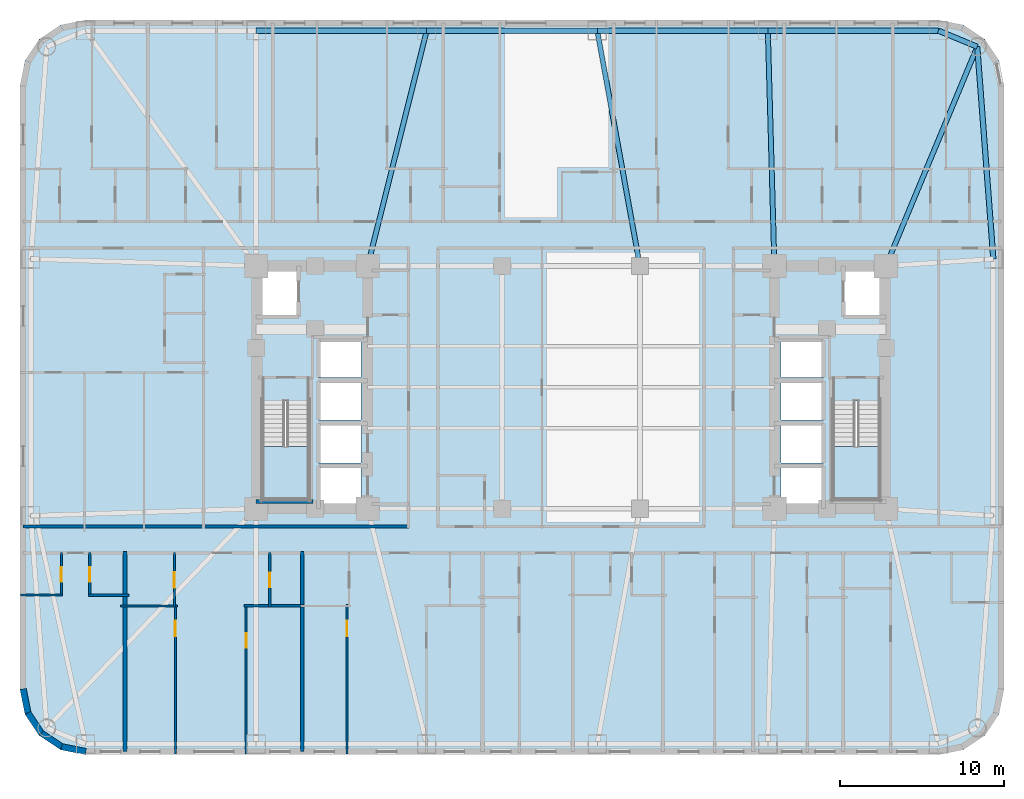
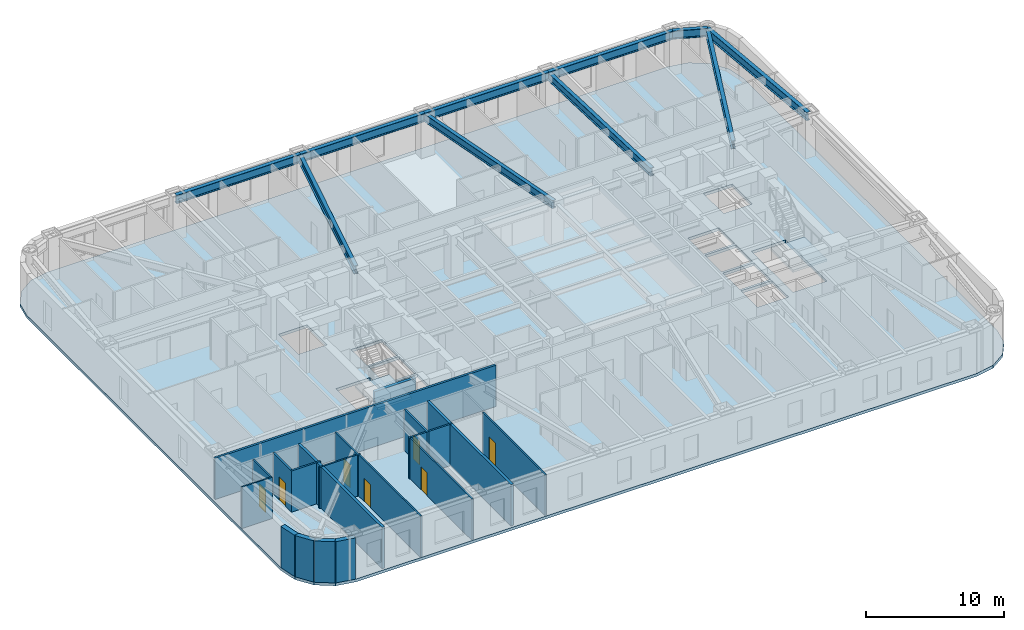
# One storey, part 2 of 12: 19 walls, 10 beams, 7 doors, 3 slabs, 7 openings, 2 elements without a shape of their own.
"""IFC4 building model written with IfcOpenShell, lengths in metres."""

from ifc_helpers import new_model, si_unit, direction, frame, frame_2d, origin, origin_2d, place, context, subcontext, project, spatial, polyline, rectangle, i_section, outline, extrude, material, layer, layer_set, material_profile, profile_set, type_object, element, fill, aggregate, save


model = new_model("IFC4")

# Units and contexts
model_context = context("Model", 3, precision=1e-05, world=origin(), true_north=direction((0.0, 1.0)))
body_context = subcontext(model_context, "Body", "Model", "MODEL_VIEW")
ifc_project = project(units=[si_unit("LENGTHUNIT", "METRE"), si_unit("AREAUNIT", "SQUARE_METRE"), si_unit("VOLUMEUNIT", "CUBIC_METRE"), si_unit("PLANEANGLEUNIT", "RADIAN"), si_unit("MASSUNIT", "GRAM", prefix="KILO")], contexts=[model_context])

# Site, building, storey
site_placement = place(None, origin())
site = spatial("IfcSite", under=ifc_project, at=site_placement, CompositionType="ELEMENT")
building_placement = place(site_placement, origin())
building = spatial("IfcBuilding", under=site, at=building_placement, Name="Voryun Gate Residences", CompositionType="ELEMENT")
storey_placement = place(building_placement, frame((0.0, 0.0, 41.60009765625)))
storey = spatial("IfcBuildingStorey", under=building, at=storey_placement, Name="L09", CompositionType="ELEMENT", Elevation=41.60009765625)

# Beams
ifc_material_1 = material(Name="Steel SM355", Category="steel")
ifc_material_profile_1 = material_profile(ifc_material_1, i_section(OverallWidth=0.320068359375, OverallDepth=0.75, WebThickness=0.01611328125, FlangeThickness=0.028076171875, FilletRadius=0.01806640625, at=origin_2d()), Name="H-750x320x16x28")
ifc_profile_set_1 = profile_set([ifc_material_profile_1], Name="Steel SM355")
beam_type_1 = type_object("IfcBeamType", Name="BM_EXO_SPANDREL_L", PredefinedType="SPANDREL", material=ifc_profile_set_1)
beam_1_placement = place(storey_placement, frame((25.75, 7.830078125, 3.27490234375), z_axis=(-0.075617360159, 0.997136908776, 0.0), x_axis=(-0.997136908776, -0.075617360159, 0.0)))
element("IfcBeam", 1, at=beam_1_placement, inside=storey, type_object=beam_type_1, Name="BM-L09-SPAND-09", PredefinedType="SPANDREL", context=body_context, shape_type="SweptSolid", body=[
    extrude(i_section(OverallWidth=0.320068359375, OverallDepth=0.75, WebThickness=0.01611328125, FlangeThickness=0.028076171875, FilletRadius=0.01806640625, at=origin_2d()), origin(), (0.0, 0.0, 1.0), 12.975830078125),
])
beam_2_placement = place(storey_placement, frame((24.768798828125, 20.768798828125, 3.27490234375), z_axis=(-0.923883376753, 0.382674151414, 0.0), x_axis=(-0.382674151414, -0.923883376753, 0.0)))
element("IfcBeam", 2, at=beam_2_placement, inside=storey, type_object=beam_type_1, Name="BM-L09-SPAND-10", PredefinedType="SPANDREL", context=body_context, shape_type="SweptSolid", body=[
    extrude(i_section(OverallWidth=0.320068359375, OverallDepth=0.75, WebThickness=0.01611328125, FlangeThickness=0.028076171875, FilletRadius=0.01806640625, at=origin_2d()), origin(), (0.0, 0.0, 1.0), 2.56396484375),
])
for number, where, z_axis, x_axis, name in (
    (3, (22.39990234375, 21.75, 3.27490234375), (-1.0, 0.0, 0.0), (0.0, -1.0, 0.0), "BM-L09-SPAND-11"),
    (4, (12.0, 21.75, 3.27490234375), (-1.0, 0.0, 0.0), (0.0, -1.0, 0.0), "BM-L09-SPAND-12"),
):
    element("IfcBeam", number, at=place(storey_placement, frame(where, z_axis=z_axis, x_axis=x_axis)), inside=storey, type_object=beam_type_1, Name=name, PredefinedType="SPANDREL", context=body_context, shape_type="SweptSolid", body=[
        extrude(i_section(OverallWidth=0.320068359375, OverallDepth=0.75, WebThickness=0.01611328125, FlangeThickness=0.028076171875, FilletRadius=0.01806640625, at=origin_2d()), origin(), (0.0, 0.0, 1.0), 10.39990234375),
    ])
beam_3_placement = place(storey_placement, frame((1.60009765625, 21.75, 3.27490234375), z_axis=(-1.0, 0.0, 0.0), x_axis=(0.0, -1.0, 0.0)))
element("IfcBeam", 5, at=beam_3_placement, inside=storey, type_object=beam_type_1, Name="BM-L09-SPAND-13", PredefinedType="SPANDREL", context=body_context, shape_type="SweptSolid", body=[
    extrude(i_section(OverallWidth=0.320068359375, OverallDepth=0.75, WebThickness=0.01611328125, FlangeThickness=0.028076171875, FilletRadius=0.01806640625, at=origin_2d()), origin(), (0.0, 0.0, 1.0), 10.400146484375),
])
beam_4_placement = place(storey_placement, frame((-8.800048828125, 21.75, 3.27490234375), z_axis=(-1.0, 0.0, 0.0), x_axis=(0.0, -1.0, 0.0)))
element("IfcBeam", 6, at=beam_4_placement, inside=storey, type_object=beam_type_1, Name="BM-L09-SPAND-14", PredefinedType="SPANDREL", context=body_context, shape_type="SweptSolid", body=[
    extrude(i_section(OverallWidth=0.320068359375, OverallDepth=0.75, WebThickness=0.01611328125, FlangeThickness=0.028076171875, FilletRadius=0.01806640625, at=origin_2d()), origin(), (0.0, 0.0, 1.0), 10.39990234375),
])
ifc_material_2 = material(Name="Steel SM355", Category="steel")
ifc_material_profile_2 = material_profile(ifc_material_2, i_section(OverallWidth=0.300048828125, OverallDepth=0.699951171875, WebThickness=0.012939453125, FlangeThickness=0.02392578125, FilletRadius=0.01806640625, at=origin_2d()), Name="H-700x300x13x24")
ifc_profile_set_2 = profile_set([ifc_material_profile_2], Name="Steel SM355")
beam_type_2 = type_object("IfcBeamType", Name="BM_GIRD_700", PredefinedType="USERDEFINED", material=ifc_profile_set_2)
beam_5_placement = place(storey_placement, frame((19.199951171875, 7.39990234375, 3.2998046875), z_axis=(0.384525607719, 0.923114324993, 0.0), x_axis=(-0.923114324993, 0.384525607719, 0.0)))
element("IfcBeam", 7, at=beam_5_placement, inside=storey, type_object=beam_type_2, Name="BM-L09-RAD-CNE", ObjectType="GIRDER", PredefinedType="USERDEFINED", context=body_context, shape_type="SweptSolid", body=[
    extrude(i_section(OverallWidth=0.300048828125, OverallDepth=0.699951171875, WebThickness=0.012939453125, FlangeThickness=0.02392578125, FilletRadius=0.01806640625, at=origin_2d()), origin(), (0.0, 0.0, 1.0), 14.482421875),
])
beam_6_placement = place(storey_placement, frame((12.39990234375, 7.39990234375, 3.2998046875), z_axis=(-0.0278567548, 0.999611925305, 0.0), x_axis=(-0.999611925305, -0.0278567548, 0.0)))
element("IfcBeam", 8, at=beam_6_placement, inside=storey, type_object=beam_type_2, Name="BM-L09-RAD-N2", ObjectType="GIRDER", PredefinedType="USERDEFINED", context=body_context, shape_type="SweptSolid", body=[
    extrude(i_section(OverallWidth=0.300048828125, OverallDepth=0.699951171875, WebThickness=0.012939453125, FlangeThickness=0.02392578125, FilletRadius=0.01806640625, at=origin_2d()), origin(), (0.0, 0.0, 1.0), 14.355712890625),
])
beam_7_placement = place(storey_placement, frame((4.199951171875, 7.39990234375, 3.2998046875), z_axis=(-0.178271088758, 0.983981411874, 0.0), x_axis=(-0.983981411874, -0.178271088758, 0.0)))
element("IfcBeam", 9, at=beam_7_placement, inside=storey, type_object=beam_type_2, Name="BM-L09-RAD-N3", ObjectType="GIRDER", PredefinedType="USERDEFINED", context=body_context, shape_type="SweptSolid", body=[
    extrude(i_section(OverallWidth=0.300048828125, OverallDepth=0.699951171875, WebThickness=0.012939453125, FlangeThickness=0.02392578125, FilletRadius=0.01806640625, at=origin_2d()), origin(), (0.0, 0.0, 1.0), 14.583740234375),
])
beam_8_placement = place(storey_placement, frame((-12.39990234375, 7.39990234375, 3.2998046875), z_axis=(0.243319869291, 0.969946102218, 0.0), x_axis=(-0.969946102218, 0.243319869291, 0.0)))
element("IfcBeam", 10, at=beam_8_placement, inside=storey, type_object=beam_type_2, Name="BM-L09-RAD-N4", ObjectType="GIRDER", PredefinedType="USERDEFINED", context=body_context, shape_type="SweptSolid", body=[
    extrude(i_section(OverallWidth=0.300048828125, OverallDepth=0.699951171875, WebThickness=0.012939453125, FlangeThickness=0.02392578125, FilletRadius=0.01806640625, at=origin_2d()), origin(), (0.0, 0.0, 1.0), 14.794677734375),
])

# Slab
ifc_material_3 = material(Name="Concrete C40/50", Category="concrete")
ifc_layer_1 = layer(ifc_material_3, 0.25, Name="SLB_RES_250")
ifc_layer_set_1 = layer_set([ifc_layer_1], Name="Concrete C40/50")
slab_type_1 = type_object("IfcSlabType", Name="SLB_RES_250", PredefinedType="FLOOR", material=ifc_layer_set_1)
slab_1_placement = place(storey_placement, frame((0.0, 0.0, -0.25)))
element("IfcSlab", 11, at=slab_1_placement, inside=storey, type_object=slab_type_1, Name="L09 Structural Floor Slab", PredefinedType="FLOOR", context=body_context, shape_type="SweptSolid", body=[
    extrude(outline(polyline([(-29.60009765625, -22.39990234375), (-31.130615234375, -22.095458984375), (-32.428466796875, -21.228515625), (-33.29541015625, -19.9306640625), (-33.60009765625, -18.39990234375), (-33.60009765625, 18.39990234375), (-33.29541015625, 19.9306640625), (-32.428466796875, 21.228515625), (-31.130615234375, 22.095458984375), (-29.60009765625, 22.39990234375), (22.39990234375, 22.39990234375), (23.9306640625, 22.095458984375), (25.228515625, 21.228515625), (26.095458984375, 19.9306640625), (26.39990234375, 18.39990234375), (26.39990234375, -18.39990234375), (26.095458984375, -19.9306640625), (25.228515625, -21.228515625), (23.9306640625, -22.095458984375), (22.39990234375, -22.39990234375), (-29.60009765625, -22.39990234375)]), holes=[polyline([(-12.800048828125, -4.800048828125), (-15.39990234375, -4.800048828125), (-15.39990234375, -7.199951171875), (-12.800048828125, -7.199951171875), (-12.800048828125, -4.800048828125)]), polyline([(-18.824951171875, -6.85009765625), (-15.97509765625, -6.85009765625), (-15.97509765625, -0.840087890625), (-18.824951171875, -0.840087890625), (-18.824951171875, -6.85009765625)]), polyline([(-12.800048828125, -4.60009765625), (-12.800048828125, -2.199951171875), (-15.39990234375, -2.199951171875), (-15.39990234375, -4.60009765625), (-12.800048828125, -4.60009765625)]), polyline([(-12.800048828125, 0.39990234375), (-15.39990234375, 0.39990234375), (-15.39990234375, -2.0), (-12.800048828125, -2.0), (-12.800048828125, 0.39990234375)]), polyline([(-12.800048828125, 0.60009765625), (-12.800048828125, 2.89990234375), (-15.39990234375, 2.89990234375), (-15.39990234375, 0.60009765625), (-12.800048828125, 0.60009765625)]), polyline([(-16.60009765625, 4.300048828125), (-16.60009765625, 7.199951171875), (-19.0, 7.199951171875), (-19.0, 4.300048828125), (-16.60009765625, 4.300048828125)]), polyline([(15.39990234375, -4.800048828125), (12.800048828125, -4.800048828125), (12.800048828125, -7.199951171875), (15.39990234375, -7.199951171875), (15.39990234375, -4.800048828125)]), polyline([(15.97509765625, -6.85009765625), (18.824951171875, -6.85009765625), (18.824951171875, -0.840087890625), (15.97509765625, -0.840087890625), (15.97509765625, -6.85009765625)]), polyline([(15.39990234375, -4.60009765625), (15.39990234375, -2.199951171875), (12.800048828125, -2.199951171875), (12.800048828125, -4.60009765625), (15.39990234375, -4.60009765625)]), polyline([(15.39990234375, 0.39990234375), (12.800048828125, 0.39990234375), (12.800048828125, -2.0), (15.39990234375, -2.0), (15.39990234375, 0.39990234375)]), polyline([(15.39990234375, 0.60009765625), (15.39990234375, 2.89990234375), (12.800048828125, 2.89990234375), (12.800048828125, 0.60009765625), (15.39990234375, 0.60009765625)]), polyline([(19.0, 4.300048828125), (19.0, 7.199951171875), (16.60009765625, 7.199951171875), (16.60009765625, 4.300048828125), (19.0, 4.300048828125)])]), origin(), (0.0, 0.0, 1.0), 0.25),
])

# Stair, slab
ifc_material_4 = material(Name="Concrete C40/50", Category="concrete")
stair_type = type_object("IfcStairType", Name="STR_CORE_DOGLEG_1350", PredefinedType="HALF_TURN_STAIR", material=ifc_material_4)
stair_1_placement = place(storey_placement, origin())
stair_1 = element("IfcStair", 12, at=stair_1_placement, inside=storey, type_object=stair_type, Name="L09 Special Escape Stair ST-W1", PredefinedType="HALF_TURN_STAIR")
ifc_material_5 = material(Name="Concrete C40/50", Category="concrete")
ifc_layer_2 = layer(ifc_material_5, 0.199951171875, Name="SLB_STAIR_LANDING_200")
ifc_layer_set_2 = layer_set([ifc_layer_2], Name="Concrete C40/50")
slab_type_2 = type_object("IfcSlabType", Name="SLB_STAIR_LANDING_200", PredefinedType="LANDING", material=ifc_layer_set_2)
slab_2_placement = place(storey_placement, frame((0.0, 0.0, 1.75)))
slab_2 = element("IfcSlab", 13, at=slab_2_placement, type_object=slab_type_2, Name="ST-W1 landing 1", PredefinedType="LANDING", context=body_context, shape_type="SweptSolid", body=[
    extrude(outline(polyline([(-18.824951171875, -3.60009765625), (-18.824951171875, -6.85009765625), (-15.97509765625, -6.85009765625), (-15.97509765625, -3.60009765625), (-18.824951171875, -3.60009765625)])), origin(), (0.0, 0.0, 1.0), 0.199951171875),
])
aggregate(stair_1, [slab_2])

stair_2_placement = place(storey_placement, origin())
stair_2 = element("IfcStair", 14, at=stair_2_placement, inside=storey, type_object=stair_type, Name="L09 Special Escape Stair ST-E1", PredefinedType="HALF_TURN_STAIR")
slab_3_placement = place(storey_placement, frame((0.0, 0.0, 1.75)))
slab_3 = element("IfcSlab", 15, at=slab_3_placement, type_object=slab_type_2, Name="ST-E1 landing 1", PredefinedType="LANDING", context=body_context, shape_type="SweptSolid", body=[
    extrude(outline(polyline([(15.97509765625, -3.60009765625), (15.97509765625, -6.85009765625), (18.824951171875, -6.85009765625), (18.824951171875, -3.60009765625), (15.97509765625, -3.60009765625)])), origin(), (0.0, 0.0, 1.0), 0.199951171875),
])
aggregate(stair_2, [slab_3])

# Walls
ifc_material_6 = material(Name="Gypsum acoustic fireboard")
ifc_layer_3 = layer(ifc_material_6, 0.179931640625, Name="W_CORR_RATED_180")
ifc_layer_set_3 = layer_set([ifc_layer_3], Name="Gypsum acoustic fireboard")
wall_type_1 = type_object("IfcWallType", Name="W_CORR_RATED_180", PredefinedType="PARTITIONING", material=ifc_layer_set_3)
wall_1_placement = place(storey_placement, frame((-33.409912109375, -8.489990234375, 0.0), z_axis=(0.0, 0.0, 1.0), x_axis=(1.0, 0.0, 0.0)))
element("IfcWall", 16, at=wall_1_placement, inside=storey, type_object=wall_type_1, Name="Partition wall WP-L09-CWING-WS", PredefinedType="PARTITIONING", context=body_context, shape_type="SweptSolid", body=[
    extrude(rectangle(XDim=23.530029296875, YDim=0.179931640625, at=frame_2d((11.76513671875, 0.0))), origin(), (0.0, 0.0, 1.0), 3.64990234375),
])
ifc_material_7 = material(Name="Granite masonry", Category="masonry")
ifc_layer_4 = layer(ifc_material_7, 0.3798828125, Name="W_EXT_GRANITE_380")
ifc_layer_set_4 = layer_set([ifc_layer_4], Name="Granite masonry")
wall_type_2 = type_object("IfcWallType", Name="W_EXT_GRANITE_380", PredefinedType="ELEMENTEDWALL", material=ifc_layer_set_4)
wall_2_placement = place(storey_placement, frame((-29.581298828125, -22.2099609375, 0.0), z_axis=(0.0, 0.0, 1.0), x_axis=(-0.980786132421, 0.195086038585, 0.0)))
element("IfcWall", 17, at=wall_2_placement, inside=storey, type_object=wall_type_2, Name="Exterior wall WEXT-L09-02", PredefinedType="ELEMENTEDWALL", context=body_context, shape_type="SweptSolid", body=[
    extrude(rectangle(XDim=1.504150390625, YDim=0.3798828125, at=frame_2d((0.751953125, 0.0))), origin(), (0.0, 0.0, 1.0), 3.64990234375),
])
wall_3_placement = place(storey_placement, frame((-31.056640625, -21.91650390625, 0.0), z_axis=(0.0, 0.0, 1.0), x_axis=(-0.831442848281, 0.555610286119, 0.0)))
element("IfcWall", 18, at=wall_3_placement, inside=storey, type_object=wall_type_2, Name="Exterior wall WEXT-L09-03", PredefinedType="ELEMENTEDWALL", context=body_context, shape_type="SweptSolid", body=[
    extrude(rectangle(XDim=1.485107421875, YDim=0.3798828125, at=frame_2d((0.74267578125, 0.0))), origin(), (0.0, 0.0, 1.0), 3.64990234375),
])
wall_4_placement = place(storey_placement, frame((-32.29150390625, -21.09130859375, 0.0), z_axis=(0.0, 0.0, 1.0), x_axis=(-0.555572577804, 0.831468045563, 0.0)))
element("IfcWall", 19, at=wall_4_placement, inside=storey, type_object=wall_type_2, Name="Exterior wall WEXT-L09-04", PredefinedType="ELEMENTEDWALL", context=body_context, shape_type="SweptSolid", body=[
    extrude(rectangle(XDim=1.48486328125, YDim=0.3798828125, at=frame_2d((0.742431640625, 0.0))), origin(), (0.0, 0.0, 1.0), 3.64990234375),
])
wall_5_placement = place(storey_placement, frame((-33.116455078125, -19.856689453125, 0.0), z_axis=(0.0, 0.0, 1.0), x_axis=(-0.195086038585, 0.980786132421, 0.0)))
element("IfcWall", 20, at=wall_5_placement, inside=storey, type_object=wall_type_2, Name="Exterior wall WEXT-L09-05", PredefinedType="ELEMENTEDWALL", context=body_context, shape_type="SweptSolid", body=[
    extrude(rectangle(XDim=1.504150390625, YDim=0.3798828125, at=frame_2d((0.751953125, 0.0))), origin(), (0.0, 0.0, 1.0), 3.64990234375),
])
ifc_material_8 = material(Name="Concrete C40/50", Category="concrete")
ifc_layer_5 = layer(ifc_material_8, 0.219970703125, Name="W_PARTY_ACOUSTIC_220")
ifc_layer_set_5 = layer_set([ifc_layer_5], Name="Concrete C40/50")
wall_type_3 = type_object("IfcWallType", Name="W_PARTY_ACOUSTIC_220", PredefinedType="PARTITIONING", material=ifc_layer_set_5)
for number, where, z_axis, x_axis, name in (
    (21, (-27.199951171875, -22.2099609375, 0.0), (0.0, 0.0, 1.0), (0.0, 1.0, 0.0), "Partition wall WP-L09-SPTY-1"),
    (22, (-16.39990234375, -22.2099609375, 0.0), (0.0, 0.0, 1.0), (0.0, 1.0, 0.0), "Partition wall WP-L09-SPTY-2"),
):
    element("IfcWall", number, at=place(storey_placement, frame(where, z_axis=z_axis, x_axis=x_axis)), inside=storey, type_object=wall_type_3, Name=name, PredefinedType="PARTITIONING", context=body_context, shape_type="SweptSolid", body=[
        extrude(rectangle(XDim=12.18994140625, YDim=0.219970703125, at=frame_2d((6.094970703125, 0.0))), origin(), (0.0, 0.0, 1.0), 3.64990234375),
    ])
ifc_material_9 = material(Name="Concrete C50/60", Category="concrete")
ifc_layer_6 = layer(ifc_material_9, 0.25, Name="W_SHAFT_RC250")
ifc_layer_set_6 = layer_set([ifc_layer_6], Name="Concrete C50/60")
wall_type_4 = type_object("IfcWallType", Name="W_SHAFT_RC250", PredefinedType="SOLIDWALL", material=ifc_layer_set_6)
wall_6_placement = place(storey_placement, frame((-19.199951171875, -6.965087890625, 0.0), z_axis=(0.0, 0.0, 1.0), x_axis=(1.0, 0.0, 0.0)))
element("IfcWall", 23, at=wall_6_placement, inside=storey, type_object=wall_type_4, Name="L09 Stair shaft structural wall W-STS", PredefinedType="SOLIDWALL", context=body_context, shape_type="SweptSolid", body=[
    extrude(rectangle(XDim=3.4599609375, YDim=0.25, at=frame_2d((1.72998046875, 0.0))), origin(), (0.0, 0.0, 1.0), 3.64990234375),
])

# Wall, opening, door
ifc_material_10 = material(Name="Gypsum acoustic partition")
ifc_layer_7 = layer(ifc_material_10, 0.125, Name="W_UNIT_PART_125")
ifc_layer_set_7 = layer_set([ifc_layer_7], Name="Gypsum acoustic partition")
wall_type_5 = type_object("IfcWallType", Name="W_UNIT_PART_125", PredefinedType="PARTITIONING", material=ifc_layer_set_7)
wall_7_placement = place(storey_placement, frame((-31.077880859375, -12.72998046875, 0.0), z_axis=(0.0, 0.0, 1.0), x_axis=(0.0, 1.0, 0.0)))
wall_7 = element("IfcWall", 24, at=wall_7_placement, inside=storey, type_object=wall_type_5, Name="Partition wall WP-L09-S1-CVK", PredefinedType="PARTITIONING", context=body_context, shape_type="SweptSolid", body=[
    extrude(rectangle(XDim=2.64990234375, YDim=0.125, at=frame_2d((1.324951171875, 0.0))), origin(), (0.0, 0.0, 1.0), 3.64990234375),
])
opening_1_placement = place(wall_7_placement, frame((0.875, 0.0, 0.0)))
opening_1 = element("IfcOpeningElement", 25, at=opening_1_placement, cuts=wall_7, Name="Opening D-INT-2", PredefinedType="OPENING", context=body_context, shape_type="SweptSolid", body=[
    extrude(rectangle(XDim=0.89990234375, YDim=2.050048828125, at=frame_2d((0.449951171875, 1.02490234375))), frame((0.0, 0.072509765625, 0.0), z_axis=(0.0, -1.0, 0.0), x_axis=(1.0, 0.0, 0.0)), (0.0, 0.0, 1.0), 0.14501953125),
])
ifc_material_11 = material(Name="Architectural oak veneer")
door_type_1 = type_object("IfcDoorType", Name="DR_INT_BATH_900", OperationType="NOTDEFINED", PredefinedType="DOOR", material=ifc_material_11)
door_1_placement = place(opening_1_placement, origin())
door_1 = element("IfcDoor", 26, at=door_1_placement, inside=storey, type_object=door_type_1, Name="Door DR-L09-S1-DK", OperationType="SINGLE_SWING_LEFT", OverallHeight=2.050048828125, OverallWidth=0.89990234375, PredefinedType="DOOR", context=body_context, shape_type="SweptSolid", body=[
    extrude(rectangle(XDim=0.89990234375, YDim=2.050048828125, at=frame_2d((0.449951171875, 1.02490234375))), frame((0.0, 0.02490234375, 0.0), z_axis=(0.0, -1.0, 0.0), x_axis=(1.0, 0.0, 0.0)), (0.0, 0.0, 1.0), 0.050048828125),
])
fill(opening_1, door_1)

# Wall
wall_8_placement = place(storey_placement, frame((-33.56005859375, -12.669921875, 0.0), z_axis=(0.0, 0.0, 1.0), x_axis=(1.0, 0.0, 0.0)))
element("IfcWall", 27, at=wall_8_placement, inside=storey, type_object=wall_type_5, Name="Partition wall WP-L09-S1-CHK", PredefinedType="PARTITIONING", context=body_context, shape_type="SweptSolid", body=[
    extrude(rectangle(XDim=2.5419921875, YDim=0.125, at=frame_2d((1.27099609375, 0.0))), origin(), (0.0, 0.0, 1.0), 3.64990234375),
])

# Wall, opening, door
wall_9_placement = place(storey_placement, frame((-24.1279296875, -22.360107421875, 0.0), z_axis=(0.0, 0.0, 1.0), x_axis=(0.0, 1.0, 0.0)))
wall_9 = element("IfcWall", 28, at=wall_9_placement, inside=storey, type_object=wall_type_5, Name="Partition wall WP-L09-S2-OVL", PredefinedType="PARTITIONING", context=body_context, shape_type="SweptSolid", body=[
    extrude(rectangle(XDim=9.1201171875, YDim=0.125, at=frame_2d((4.56005859375, 0.0))), origin(), (0.0, 0.0, 1.0), 3.64990234375),
])
opening_2_placement = place(wall_9_placement, frame((7.185791015625, 0.0, 0.0)))
opening_2 = element("IfcOpeningElement", 29, at=opening_2_placement, cuts=wall_9, Name="Opening D-INT-1", PredefinedType="OPENING", context=body_context, shape_type="SweptSolid", body=[
    extrude(rectangle(XDim=0.949951171875, YDim=2.050048828125, at=frame_2d((0.47509765625, 1.02490234375))), frame((0.0, 0.072509765625, 0.0), z_axis=(0.0, -1.0, 0.0), x_axis=(1.0, 0.0, 0.0)), (0.0, 0.0, 1.0), 0.14501953125),
])
ifc_material_12 = material(Name="Architectural oak veneer")
door_type_2 = type_object("IfcDoorType", Name="DR_INT_ROOM_950", OperationType="NOTDEFINED", PredefinedType="DOOR", material=ifc_material_12)
door_2_placement = place(opening_2_placement, origin())
door_2 = element("IfcDoor", 30, at=door_2_placement, inside=storey, type_object=door_type_2, Name="Door DR-L09-S2-DB2", OperationType="SINGLE_SWING_LEFT", OverallHeight=2.050048828125, OverallWidth=0.949951171875, PredefinedType="DOOR", context=body_context, shape_type="SweptSolid", body=[
    extrude(rectangle(XDim=0.949951171875, YDim=2.050048828125, at=frame_2d((0.47509765625, 1.02490234375))), frame((0.0, 0.02490234375, 0.0), z_axis=(0.0, -1.0, 0.0), x_axis=(1.0, 0.0, 0.0)), (0.0, 0.0, 1.0), 0.050048828125),
])
fill(opening_2, door_2)

wall_10_placement = place(storey_placement, frame((-19.81005859375, -22.360107421875, 0.0), z_axis=(0.0, 0.0, 1.0), x_axis=(0.0, 1.0, 0.0)))
wall_10 = element("IfcWall", 31, at=wall_10_placement, inside=storey, type_object=wall_type_5, Name="Partition wall WP-L09-S2-OVR", PredefinedType="PARTITIONING", context=body_context, shape_type="SweptSolid", body=[
    extrude(rectangle(XDim=9.1201171875, YDim=0.125, at=frame_2d((4.56005859375, 0.0))), origin(), (0.0, 0.0, 1.0), 3.64990234375),
])
opening_3_placement = place(wall_10_placement, frame((6.481201171875, 0.0, 0.0)))
opening_3 = element("IfcOpeningElement", 32, at=opening_3_placement, cuts=wall_10, Name="Opening D-INT-2", PredefinedType="OPENING", context=body_context, shape_type="SweptSolid", body=[
    extrude(rectangle(XDim=0.89990234375, YDim=2.050048828125, at=frame_2d((0.449951171875, 1.02490234375))), frame((0.0, 0.072509765625, 0.0), z_axis=(0.0, -1.0, 0.0), x_axis=(1.0, 0.0, 0.0)), (0.0, 0.0, 1.0), 0.14501953125),
])
door_3_placement = place(opening_3_placement, origin())
door_3 = element("IfcDoor", 33, at=door_3_placement, inside=storey, type_object=door_type_1, Name="Door DR-L09-S2-DMB", OperationType="SINGLE_SWING_RIGHT", OverallHeight=2.050048828125, OverallWidth=0.89990234375, PredefinedType="DOOR", context=body_context, shape_type="SweptSolid", body=[
    extrude(rectangle(XDim=0.89990234375, YDim=2.050048828125, at=frame_2d((0.449951171875, 1.02490234375))), frame((0.0, 0.02490234375, 0.0), z_axis=(0.0, -1.0, 0.0), x_axis=(1.0, 0.0, 0.0)), (0.0, 0.0, 1.0), 0.050048828125),
])
fill(opening_3, door_3)

wall_11_placement = place(storey_placement, frame((-24.19189453125, -13.39990234375, 0.0), z_axis=(0.0, 0.0, 1.0), x_axis=(0.0, 1.0, 0.0)))
wall_11 = element("IfcWall", 34, at=wall_11_placement, inside=storey, type_object=wall_type_5, Name="Partition wall WP-L09-S2-IVK", PredefinedType="PARTITIONING", context=body_context, shape_type="SweptSolid", body=[
    extrude(rectangle(XDim=3.31982421875, YDim=0.125, at=frame_2d((1.659912109375, 0.0))), origin(), (0.0, 0.0, 1.0), 3.64990234375),
])
opening_4_placement = place(wall_11_placement, frame((1.18505859375, 0.0, 0.0)))
opening_4 = element("IfcOpeningElement", 35, at=opening_4_placement, cuts=wall_11, Name="Opening D-INT-1", PredefinedType="OPENING", context=body_context, shape_type="SweptSolid", body=[
    extrude(rectangle(XDim=0.949951171875, YDim=2.050048828125, at=frame_2d((0.47509765625, 1.02490234375))), frame((0.0, 0.072509765625, 0.0), z_axis=(0.0, -1.0, 0.0), x_axis=(1.0, 0.0, 0.0)), (0.0, 0.0, 1.0), 0.14501953125),
])
door_4_placement = place(opening_4_placement, origin())
door_4 = element("IfcDoor", 36, at=door_4_placement, inside=storey, type_object=door_type_2, Name="Door DR-L09-S2-DK", OperationType="SINGLE_SWING_LEFT", OverallHeight=2.050048828125, OverallWidth=0.949951171875, PredefinedType="DOOR", context=body_context, shape_type="SweptSolid", body=[
    extrude(rectangle(XDim=0.949951171875, YDim=2.050048828125, at=frame_2d((0.47509765625, 1.02490234375))), frame((0.0, 0.02490234375, 0.0), z_axis=(0.0, -1.0, 0.0), x_axis=(1.0, 0.0, 0.0)), (0.0, 0.0, 1.0), 0.050048828125),
])
fill(opening_4, door_4)

# Wall
wall_12_placement = place(storey_placement, frame((-27.4599609375, -13.320068359375, 0.0), z_axis=(0.0, 0.0, 1.0), x_axis=(1.0, 0.0, 0.0)))
element("IfcWall", 37, at=wall_12_placement, inside=storey, type_object=wall_type_5, Name="Partition wall WP-L09-S2-HZK", PredefinedType="PARTITIONING", context=body_context, shape_type="SweptSolid", body=[
    extrude(rectangle(XDim=3.451904296875, YDim=0.125, at=frame_2d((1.72607421875, 0.0))), origin(), (0.0, 0.0, 1.0), 3.64990234375),
])

# Wall, opening, door
wall_13_placement = place(storey_placement, frame((-13.6640625, -22.360107421875, 0.0), z_axis=(0.0, 0.0, 1.0), x_axis=(0.0, 1.0, 0.0)))
wall_13 = element("IfcWall", 38, at=wall_13_placement, inside=storey, type_object=wall_type_5, Name="Partition wall WP-L09-S3-OVL", PredefinedType="PARTITIONING", context=body_context, shape_type="SweptSolid", body=[
    extrude(rectangle(XDim=9.1201171875, YDim=0.125, at=frame_2d((4.56005859375, 0.0))), origin(), (0.0, 0.0, 1.0), 3.64990234375),
])
opening_5_placement = place(wall_13_placement, frame((7.185791015625, 0.0, 0.0)))
opening_5 = element("IfcOpeningElement", 39, at=opening_5_placement, cuts=wall_13, Name="Opening D-INT-1", PredefinedType="OPENING", context=body_context, shape_type="SweptSolid", body=[
    extrude(rectangle(XDim=0.949951171875, YDim=2.050048828125, at=frame_2d((0.47509765625, 1.02490234375))), frame((0.0, 0.072509765625, 0.0), z_axis=(0.0, -1.0, 0.0), x_axis=(1.0, 0.0, 0.0)), (0.0, 0.0, 1.0), 0.14501953125),
])
door_5_placement = place(opening_5_placement, origin())
door_5 = element("IfcDoor", 40, at=door_5_placement, inside=storey, type_object=door_type_2, Name="Door DR-L09-S3-DB2", OperationType="SINGLE_SWING_LEFT", OverallHeight=2.050048828125, OverallWidth=0.949951171875, PredefinedType="DOOR", context=body_context, shape_type="SweptSolid", body=[
    extrude(rectangle(XDim=0.949951171875, YDim=2.050048828125, at=frame_2d((0.47509765625, 1.02490234375))), frame((0.0, 0.02490234375, 0.0), z_axis=(0.0, -1.0, 0.0), x_axis=(1.0, 0.0, 0.0)), (0.0, 0.0, 1.0), 0.050048828125),
])
fill(opening_5, door_5)

ifc_material_13 = material(Name="Gypsum moisture-resistant partition")
ifc_layer_8 = layer(ifc_material_13, 0.14990234375, Name="W_WET_PLUMB_150")
ifc_layer_set_8 = layer_set([ifc_layer_8], Name="Gypsum moisture-resistant partition")
wall_type_6 = type_object("IfcWallType", Name="W_WET_PLUMB_150", PredefinedType="PLUMBINGWALL", material=ifc_layer_set_8)
wall_14_placement = place(storey_placement, frame((-29.35400390625, -12.72998046875, 0.0), z_axis=(0.0, 0.0, 1.0), x_axis=(0.0, 1.0, 0.0)))
wall_14 = element("IfcWall", 41, at=wall_14_placement, inside=storey, type_object=wall_type_6, Name="Partition wall WP-L09-S1-CVB", PredefinedType="PLUMBINGWALL", context=body_context, shape_type="SweptSolid", body=[
    extrude(rectangle(XDim=2.64990234375, YDim=0.14990234375, at=frame_2d((1.324951171875, 0.0))), origin(), (0.0, 0.0, 1.0), 3.64990234375),
])
opening_6_placement = place(wall_14_placement, frame((0.875, 0.0, 0.0)))
opening_6 = element("IfcOpeningElement", 42, at=opening_6_placement, cuts=wall_14, Name="Opening D-INT-2", PredefinedType="OPENING", context=body_context, shape_type="SweptSolid", body=[
    extrude(rectangle(XDim=0.89990234375, YDim=2.050048828125, at=frame_2d((0.449951171875, 1.02490234375))), frame((0.0, 0.0849609375, 0.0), z_axis=(0.0, -1.0, 0.0), x_axis=(1.0, 0.0, 0.0)), (0.0, 0.0, 1.0), 0.169921875),
])
door_6_placement = place(opening_6_placement, origin())
door_6 = element("IfcDoor", 43, at=door_6_placement, inside=storey, type_object=door_type_1, Name="Door DR-L09-S1-DB", OperationType="SINGLE_SWING_RIGHT", OverallHeight=2.050048828125, OverallWidth=0.89990234375, PredefinedType="DOOR", context=body_context, shape_type="SweptSolid", body=[
    extrude(rectangle(XDim=0.89990234375, YDim=2.050048828125, at=frame_2d((0.449951171875, 1.02490234375))), frame((0.0, 0.02490234375, 0.0), z_axis=(0.0, -1.0, 0.0), x_axis=(1.0, 0.0, 0.0)), (0.0, 0.0, 1.0), 0.050048828125),
])
fill(opening_6, door_6)

# Walls
wall_15_placement = place(storey_placement, frame((-29.4140625, -12.669921875, 0.0), z_axis=(0.0, 0.0, 1.0), x_axis=(1.0, 0.0, 0.0)))
element("IfcWall", 44, at=wall_15_placement, inside=storey, type_object=wall_type_6, Name="Partition wall WP-L09-S1-CHB", PredefinedType="PLUMBINGWALL", context=body_context, shape_type="SweptSolid", body=[
    extrude(rectangle(XDim=2.47412109375, YDim=0.14990234375, at=frame_2d((1.237060546875, 0.0))), origin(), (0.0, 0.0, 1.0), 3.64990234375),
])
wall_16_placement = place(storey_placement, frame((-19.929931640625, -13.320068359375, 0.0), z_axis=(0.0, 0.0, 1.0), x_axis=(1.0, 0.0, 0.0)))
element("IfcWall", 45, at=wall_16_placement, inside=storey, type_object=wall_type_6, Name="Partition wall WP-L09-S2-HZB", PredefinedType="PLUMBINGWALL", context=body_context, shape_type="SweptSolid", body=[
    extrude(rectangle(XDim=3.60498046875, YDim=0.14990234375, at=frame_2d((1.802490234375, 0.0))), origin(), (0.0, 0.0, 1.0), 3.64990234375),
])

# Wall, opening, door
wall_17_placement = place(storey_placement, frame((-18.3798828125, -13.39990234375, 0.0), z_axis=(0.0, 0.0, 1.0), x_axis=(0.0, 1.0, 0.0)))
wall_17 = element("IfcWall", 46, at=wall_17_placement, inside=storey, type_object=wall_type_6, Name="Partition wall WP-L09-S2-IVB", PredefinedType="PLUMBINGWALL", context=body_context, shape_type="SweptSolid", body=[
    extrude(rectangle(XDim=3.31982421875, YDim=0.14990234375, at=frame_2d((1.659912109375, 0.0))), origin(), (0.0, 0.0, 1.0), 3.64990234375),
])
opening_7_placement = place(wall_17_placement, frame((1.2099609375, 0.0, 0.0)))
opening_7 = element("IfcOpeningElement", 47, at=opening_7_placement, cuts=wall_17, Name="Opening D-INT-2", PredefinedType="OPENING", context=body_context, shape_type="SweptSolid", body=[
    extrude(rectangle(XDim=0.89990234375, YDim=2.050048828125, at=frame_2d((0.449951171875, 1.02490234375))), frame((0.0, 0.0849609375, 0.0), z_axis=(0.0, -1.0, 0.0), x_axis=(1.0, 0.0, 0.0)), (0.0, 0.0, 1.0), 0.169921875),
])
door_7_placement = place(opening_7_placement, origin())
door_7 = element("IfcDoor", 48, at=door_7_placement, inside=storey, type_object=door_type_1, Name="Door DR-L09-S2-DB", OperationType="SINGLE_SWING_RIGHT", OverallHeight=2.050048828125, OverallWidth=0.89990234375, PredefinedType="DOOR", context=body_context, shape_type="SweptSolid", body=[
    extrude(rectangle(XDim=0.89990234375, YDim=2.050048828125, at=frame_2d((0.449951171875, 1.02490234375))), frame((0.0, 0.02490234375, 0.0), z_axis=(0.0, -1.0, 0.0), x_axis=(1.0, 0.0, 0.0)), (0.0, 0.0, 1.0), 0.050048828125),
])
fill(opening_7, door_7)

save(model, "model.ifc")
